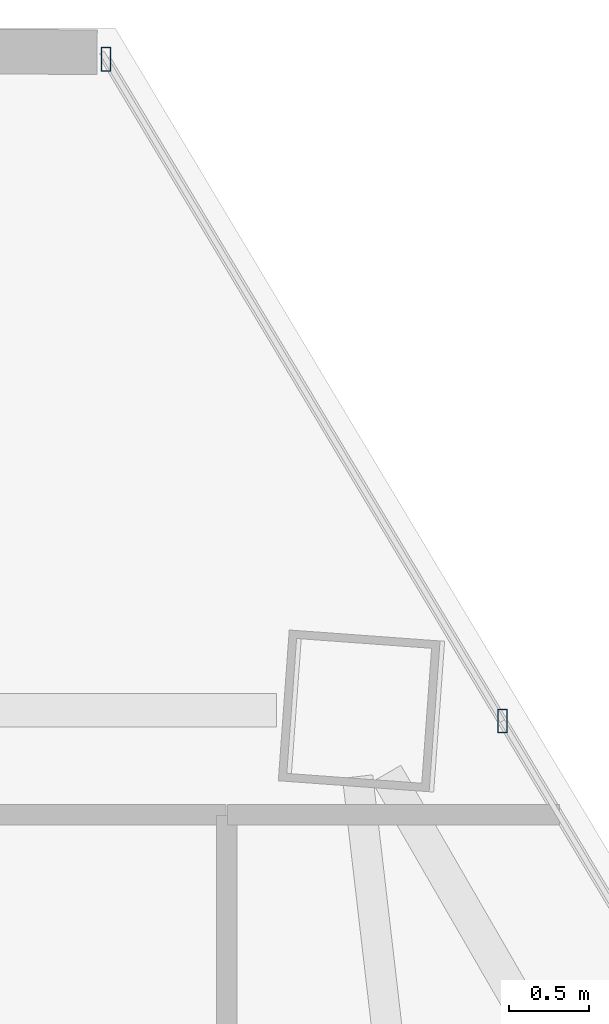
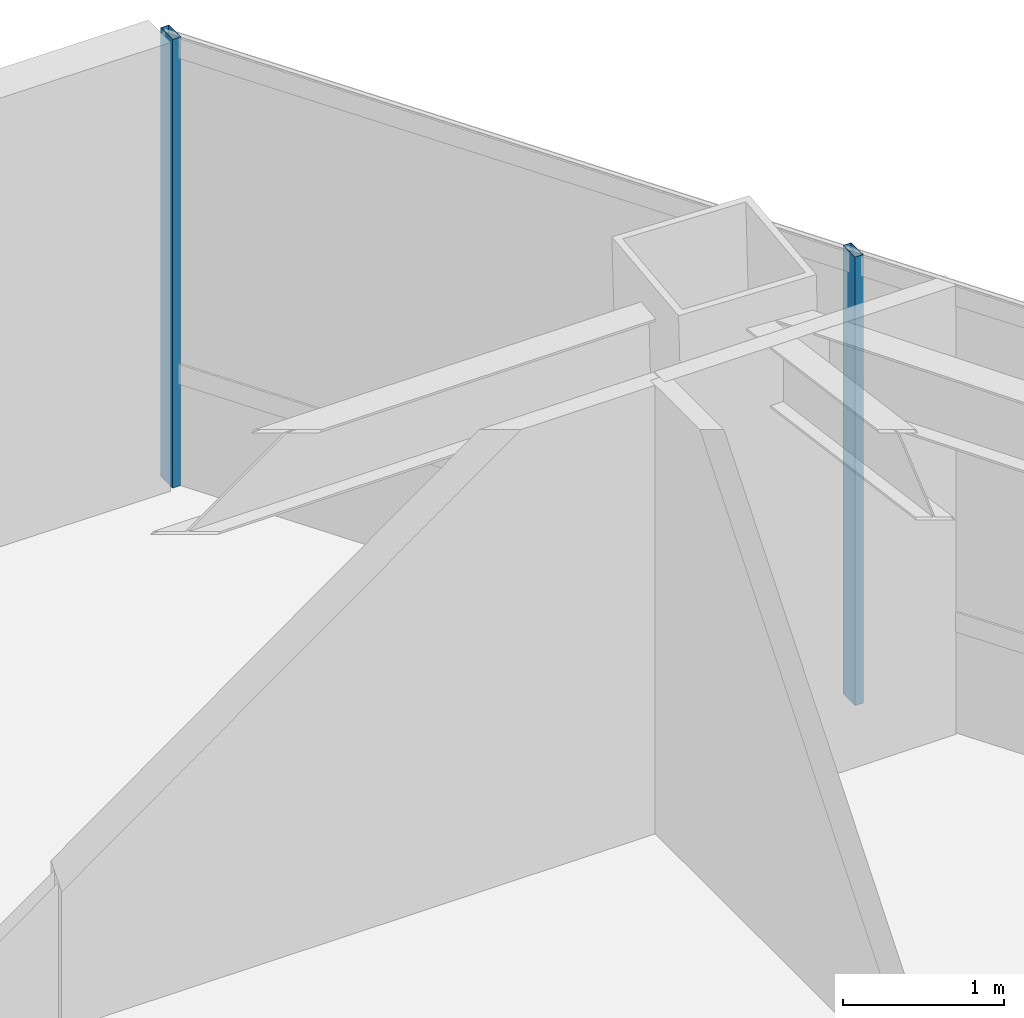
# One storey, part 31 of 41: 2 members, 1 element without a shape of its own.
"""IFC4 building model written with IfcOpenShell, lengths in metres."""

from ifc_helpers import new_model, si_unit, direction, frame, origin, origin_2d, place, context, subcontext, project, spatial, hollow_rectangle, extrude, source, transform, mapped, material, material_profile, profile_set, type_object, type_shapes, element, aggregate, save


model = new_model("IFC4")

# Units and contexts
model_context = context("Model", 3, precision=1e-05, world=origin(), true_north=direction((0.0, 1.0)))
body_context = subcontext(model_context, "Body", "Model", "MODEL_VIEW")
ifc_project = project(units=[si_unit("LENGTHUNIT", "METRE"), si_unit("AREAUNIT", "SQUARE_METRE"), si_unit("VOLUMEUNIT", "CUBIC_METRE"), si_unit("PLANEANGLEUNIT", "RADIAN"), si_unit("MASSUNIT", "GRAM", prefix="KILO")], contexts=[model_context])

# Site, building, storey
site_placement = place(None, origin())
site = spatial("IfcSite", under=ifc_project, at=site_placement, CompositionType="ELEMENT")
building_placement = place(site_placement, origin())
building = spatial("IfcBuilding", under=site, at=building_placement, Name="Caelisora Broadcast Tower", CompositionType="ELEMENT")
storey_placement = place(building_placement, frame((0.0, 0.0, 180.39990234375)))
storey = spatial("IfcBuildingStorey", under=building, at=storey_placement, Name="L47", CompositionType="ELEMENT", Elevation=180.39990234375)

# Curtain wall, members
ifc_material_1 = material(Name="Unitised Aluminium and Low-E Glass Curtain Wall", Category="glass")
curtain_wall_type = type_object("IfcCurtainWallType", Name="CW-Z3", PredefinedType="NOTDEFINED", material=ifc_material_1)
curtain_wall_placement = place(storey_placement, origin())
curtain_wall = element("IfcCurtainWall", 1, at=curtain_wall_placement, inside=storey, type_object=curtain_wall_type, Name="L47 curtain wall CW-Z3", PredefinedType="NOTDEFINED")
ifc_material_2 = material(Name="Aluminium 6063-T6 Anodised Terracotta Bronze", Category="aluminium")
ifc_material_profile = material_profile(ifc_material_2, hollow_rectangle(XDim=0.06005859375, YDim=0.14990234375, WallThickness=0.00341796875, at=origin_2d()), Name="Aluminium 6063-T6 Anodised Terracotta Bronze")
ifc_profile_set = profile_set([ifc_material_profile], Name="Aluminium 6063-T6 Anodised Terracotta Bronze")
member_type = type_object("IfcMemberType", Name="CWM-03", PredefinedType="MULLION", material=ifc_profile_set)
shared_shape = source(origin(), body_context, "Body", "SweptSolid", [
    extrude(hollow_rectangle(XDim=0.06005859375, YDim=0.14990234375, WallThickness=0.00341796875, at=origin_2d()), origin(), (0.0, 0.0, 1.0), 3.400146484375),
])
type_shapes(member_type, [shared_shape])
member_1_placement = place(storey_placement, frame((42.041748046875, 50.63818359375, 0.0), z_axis=(0.0, 0.0, 1.0), x_axis=(1.0, 0.0, 0.0)))
member_1 = element("IfcMember", 2, at=member_1_placement, type_object=member_type, Name="L47-CW-B01 mullion #0", PredefinedType="MULLION", context=body_context, shape_type="MappedRepresentation", body=[
    mapped(shared_shape, transform((0.0, 0.0, 0.0), scale=1.0)),
])
member_2_placement = place(storey_placement, frame((44.532470703125, 46.4794921875, 0.0), z_axis=(0.0, 0.0, 1.0), x_axis=(1.0, 0.0, 0.0)))
member_2 = element("IfcMember", 3, at=member_2_placement, type_object=member_type, Name="L47-CW-B01 mullion #1", PredefinedType="MULLION", context=body_context, shape_type="MappedRepresentation", body=[
    mapped(shared_shape, transform((0.0, 0.0, 0.0), scale=1.0)),
])
aggregate(curtain_wall, [member_1, member_2])

save(model, "model.ifc")
